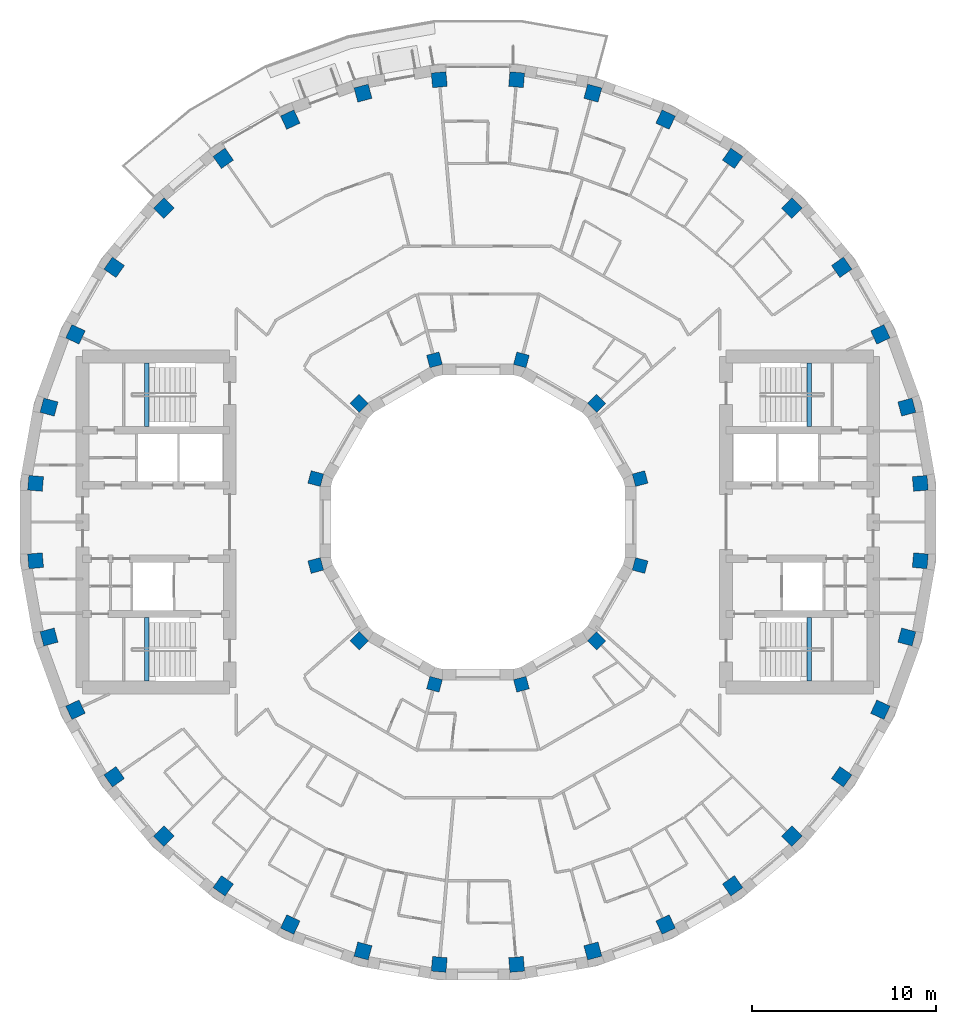
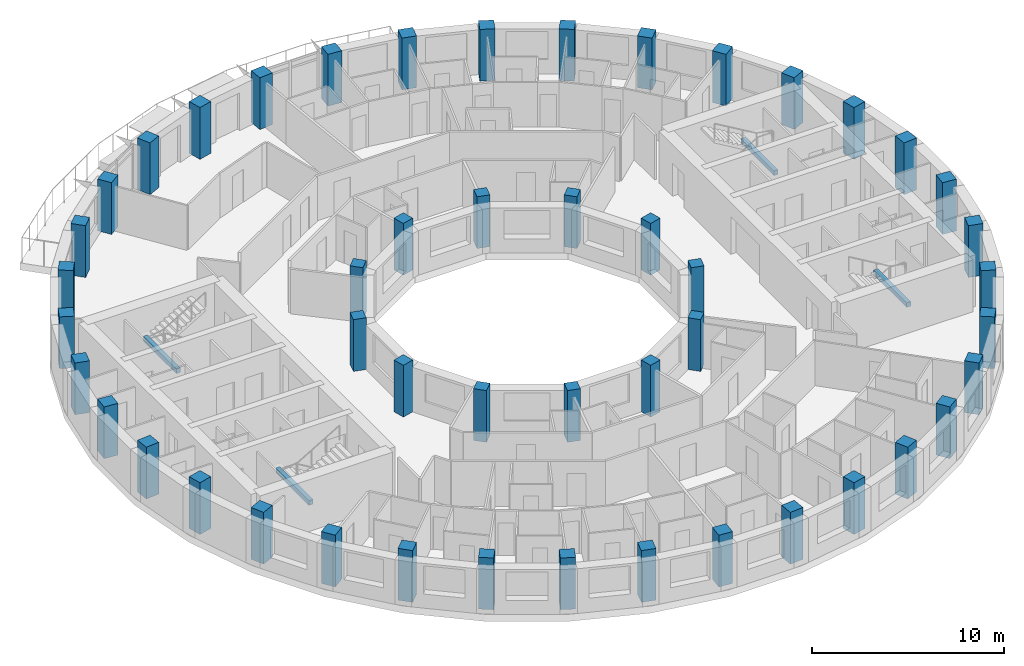
# One storey, part 1 of 14: 48 columns, 4 beams.
"""IFC4 building model written with IfcOpenShell, lengths in metres."""

from ifc_helpers import new_model, si_unit, direction, frame, origin, origin_2d, place, context, subcontext, project, spatial, rectangle, extrude, material, material_profile, profile_set, type_object, element, save


model = new_model("IFC4")

# Units and contexts
model_context = context("Model", 3, precision=1e-05, world=origin(), true_north=direction((0.0, 1.0)))
body_context = subcontext(model_context, "Body", "Model", "MODEL_VIEW")
ifc_project = project(units=[si_unit("LENGTHUNIT", "METRE"), si_unit("AREAUNIT", "SQUARE_METRE"), si_unit("VOLUMEUNIT", "CUBIC_METRE"), si_unit("PLANEANGLEUNIT", "RADIAN"), si_unit("MASSUNIT", "GRAM", prefix="KILO")], contexts=[model_context])

# Site, building, storey
site_placement = place(None, origin())
site = spatial("IfcSite", under=ifc_project, at=site_placement, CompositionType="ELEMENT")
building_placement = place(site_placement, origin())
building = spatial("IfcBuilding", under=site, at=building_placement, Name="Saqina Gate Tower", CompositionType="ELEMENT")
storey_placement = place(building_placement, frame((0.0, 0.0, 213.60009765625)))
storey = spatial("IfcBuildingStorey", under=building, at=storey_placement, Name="L61", CompositionType="ELEMENT", Elevation=213.60009765625)

# Columns
ifc_material_1 = material(Name="Concrete C60/75", Category="concrete")
ifc_material_profile_1 = material_profile(ifc_material_1, rectangle(XDim=0.699951171875, YDim=0.699951171875, at=origin_2d()), Name="RC 700x700")
ifc_profile_set_1 = profile_set([ifc_material_profile_1], Name="Concrete C60/75")
column_type_1 = type_object("IfcColumnType", Name="STR-COL-IN-C", PredefinedType="COLUMN", material=ifc_profile_set_1)
for number, where, z_axis, x_axis, name in (
    (1, (8.821044921875, 2.363525390625, 0.0), (0.0, 0.0, 1.0), (0.965925826289, 0.258819045103, 0.0), "L61-ICL01"),
    (2, (6.45751953125, 6.45751953125, 0.0), (0.0, 0.0, 1.0), (0.707106781187, 0.707106781187, 0.0), "L61-ICL02"),
    (3, (2.363525390625, 8.821044921875, 0.0), (0.0, 0.0, 1.0), (0.258819045103, 0.965925826289, 0.0), "L61-ICL03"),
    (4, (-2.363525390625, 8.821044921875, 0.0), (0.0, 0.0, 1.0), (-0.258819045103, 0.965925826289, 0.0), "L61-ICL04"),
    (5, (-6.45751953125, 6.45751953125, 0.0), (0.0, 0.0, 1.0), (-0.707106781187, 0.707106781187, 0.0), "L61-ICL05"),
    (6, (-8.821044921875, 2.363525390625, 0.0), (0.0, 0.0, 1.0), (-0.965925826289, 0.258819045103, 0.0), "L61-ICL06"),
    (7, (-8.821044921875, -2.363525390625, 0.0), (0.0, 0.0, 1.0), (-0.965925826289, -0.258819045103, 0.0), "L61-ICL07"),
    (8, (-6.45751953125, -6.45751953125, 0.0), (0.0, 0.0, 1.0), (-0.707106781187, -0.707106781187, 0.0), "L61-ICL08"),
    (9, (-2.363525390625, -8.821044921875, 0.0), (0.0, 0.0, 1.0), (-0.258819045103, -0.965925826289, 0.0), "L61-ICL09"),
    (10, (2.363525390625, -8.821044921875, 0.0), (0.0, 0.0, 1.0), (0.258819045103, -0.965925826289, 0.0), "L61-ICL10"),
    (11, (6.45751953125, -6.45751953125, 0.0), (0.0, 0.0, 1.0), (0.707106781187, -0.707106781187, 0.0), "L61-ICL11"),
    (12, (8.821044921875, -2.363525390625, 0.0), (0.0, 0.0, 1.0), (0.965925826289, -0.258819045103, 0.0), "L61-ICL12"),
):
    element("IfcColumn", number, at=place(storey_placement, frame(where, z_axis=z_axis, x_axis=x_axis)), inside=storey, type_object=column_type_1, Name=name, PredefinedType="COLUMN", context=body_context, shape_type="SweptSolid", body=[
        extrude(rectangle(XDim=0.699951171875, YDim=0.699951171875, at=origin_2d()), origin(), (0.0, 0.0, 1.0), 3.2998046875),
    ])
ifc_material_2 = material(Name="Concrete C60/75", Category="concrete")
ifc_material_profile_2 = material_profile(ifc_material_2, rectangle(XDim=0.800048828125, YDim=0.800048828125, at=origin_2d()), Name="RC 800x800")
ifc_profile_set_2 = profile_set([ifc_material_profile_2], Name="Concrete C60/75")
column_type_2 = type_object("IfcColumnType", Name="STR-COL-OUT-C", PredefinedType="COLUMN", material=ifc_profile_set_2)
for number, where, z_axis, x_axis, name in (
    (13, (24.05810546875, 2.104736328125, 0.0), (0.0, 0.0, 1.0), (0.996194698092, 0.087155742748, 0.0), "L61-COL01"),
    (14, (23.3271484375, 6.25048828125, 0.0), (0.0, 0.0, 1.0), (0.965925826289, 0.258819045103, 0.0), "L61-COL02"),
    (15, (21.887451171875, 10.206298828125, 0.0), (0.0, 0.0, 1.0), (0.906307787037, 0.422618261741, 0.0), "L61-COL03"),
    (16, (19.782470703125, 13.851806640625, 0.0), (0.0, 0.0, 1.0), (0.819152044289, 0.573576436351, 0.0), "L61-COL04"),
    (17, (17.07666015625, 17.07666015625, 0.0), (0.0, 0.0, 1.0), (0.707106781187, 0.707106781187, 0.0), "L61-COL05"),
    (18, (13.851806640625, 19.782470703125, 0.0), (0.0, 0.0, 1.0), (0.573576436351, 0.819152044289, 0.0), "L61-COL06"),
    (19, (10.206298828125, 21.887451171875, 0.0), (0.0, 0.0, 1.0), (0.422618261741, 0.906307787037, 0.0), "L61-COL07"),
    (20, (6.25048828125, 23.3271484375, 0.0), (0.0, 0.0, 1.0), (0.258819045103, 0.965925826289, 0.0), "L61-COL08"),
    (21, (2.104736328125, 24.05810546875, 0.0), (0.0, 0.0, 1.0), (0.087155742748, 0.996194698092, 0.0), "L61-COL09"),
    (22, (-2.104736328125, 24.05810546875, 0.0), (0.0, 0.0, 1.0), (-0.087155742748, 0.996194698092, 0.0), "L61-COL10"),
    (23, (-6.25048828125, 23.3271484375, 0.0), (0.0, 0.0, 1.0), (-0.258819045103, 0.965925826289, 0.0), "L61-COL11"),
    (24, (-10.206298828125, 21.887451171875, 0.0), (0.0, 0.0, 1.0), (-0.422618261741, 0.906307787037, 0.0), "L61-COL12"),
    (25, (-13.851806640625, 19.782470703125, 0.0), (0.0, 0.0, 1.0), (-0.573576436351, 0.819152044289, 0.0), "L61-COL13"),
    (26, (-17.07666015625, 17.07666015625, 0.0), (0.0, 0.0, 1.0), (-0.707106781187, 0.707106781187, 0.0), "L61-COL14"),
    (27, (-19.782470703125, 13.851806640625, 0.0), (0.0, 0.0, 1.0), (-0.819152044289, 0.573576436351, 0.0), "L61-COL15"),
    (28, (-21.887451171875, 10.206298828125, 0.0), (0.0, 0.0, 1.0), (-0.906307787037, 0.422618261741, 0.0), "L61-COL16"),
    (29, (-23.3271484375, 6.25048828125, 0.0), (0.0, 0.0, 1.0), (-0.965925826289, 0.258819045103, 0.0), "L61-COL17"),
    (30, (-24.05810546875, 2.104736328125, 0.0), (0.0, 0.0, 1.0), (-0.996194698092, 0.087155742748, 0.0), "L61-COL18"),
    (31, (-24.05810546875, -2.104736328125, 0.0), (0.0, 0.0, 1.0), (-0.996194698092, -0.087155742748, 0.0), "L61-COL19"),
    (32, (-23.3271484375, -6.25048828125, 0.0), (0.0, 0.0, 1.0), (-0.965925826289, -0.258819045103, 0.0), "L61-COL20"),
    (33, (-21.887451171875, -10.206298828125, 0.0), (0.0, 0.0, 1.0), (-0.906307787037, -0.422618261741, 0.0), "L61-COL21"),
    (34, (-19.782470703125, -13.851806640625, 0.0), (0.0, 0.0, 1.0), (-0.819152044289, -0.573576436351, 0.0), "L61-COL22"),
    (35, (-17.07666015625, -17.07666015625, 0.0), (0.0, 0.0, 1.0), (-0.707106781187, -0.707106781187, 0.0), "L61-COL23"),
    (36, (-13.851806640625, -19.782470703125, 0.0), (0.0, 0.0, 1.0), (-0.573576436351, -0.819152044289, 0.0), "L61-COL24"),
    (37, (-10.206298828125, -21.887451171875, 0.0), (0.0, 0.0, 1.0), (-0.422618261741, -0.906307787037, 0.0), "L61-COL25"),
    (38, (-6.25048828125, -23.3271484375, 0.0), (0.0, 0.0, 1.0), (-0.258819045103, -0.965925826289, 0.0), "L61-COL26"),
    (39, (-2.104736328125, -24.05810546875, 0.0), (0.0, 0.0, 1.0), (-0.087155742748, -0.996194698092, 0.0), "L61-COL27"),
    (40, (2.104736328125, -24.05810546875, 0.0), (0.0, 0.0, 1.0), (0.087155742748, -0.996194698092, 0.0), "L61-COL28"),
    (41, (6.25048828125, -23.3271484375, 0.0), (0.0, 0.0, 1.0), (0.258819045103, -0.965925826289, 0.0), "L61-COL29"),
    (42, (10.206298828125, -21.887451171875, 0.0), (0.0, 0.0, 1.0), (0.422618261741, -0.906307787037, 0.0), "L61-COL30"),
    (43, (13.851806640625, -19.782470703125, 0.0), (0.0, 0.0, 1.0), (0.573576436351, -0.819152044289, 0.0), "L61-COL31"),
    (44, (17.07666015625, -17.07666015625, 0.0), (0.0, 0.0, 1.0), (0.707106781187, -0.707106781187, 0.0), "L61-COL32"),
    (45, (19.782470703125, -13.851806640625, 0.0), (0.0, 0.0, 1.0), (0.819152044289, -0.573576436351, 0.0), "L61-COL33"),
    (46, (21.887451171875, -10.206298828125, 0.0), (0.0, 0.0, 1.0), (0.906307787037, -0.422618261741, 0.0), "L61-COL34"),
    (47, (23.3271484375, -6.25048828125, 0.0), (0.0, 0.0, 1.0), (0.965925826289, -0.258819045103, 0.0), "L61-COL35"),
    (48, (24.05810546875, -2.104736328125, 0.0), (0.0, 0.0, 1.0), (0.996194698092, -0.087155742748, 0.0), "L61-COL36"),
):
    element("IfcColumn", number, at=place(storey_placement, frame(where, z_axis=z_axis, x_axis=x_axis)), inside=storey, type_object=column_type_2, Name=name, PredefinedType="COLUMN", context=body_context, shape_type="SweptSolid", body=[
        extrude(rectangle(XDim=0.800048828125, YDim=0.800048828125, at=origin_2d()), origin(), (0.0, 0.0, 1.0), 3.2998046875),
    ])

# Beams
ifc_material_3 = material(Name="Concrete C40/50", Category="concrete")
ifc_material_profile_3 = material_profile(ifc_material_3, rectangle(XDim=0.25, YDim=0.300048828125, at=origin_2d()), Name="STAIR LANDING BEAM")
ifc_profile_set_3 = profile_set([ifc_material_profile_3], Name="Concrete C40/50")
beam_type = type_object("IfcBeamType", Name="STAIR LANDING BEAM", PredefinedType="BEAM", material=ifc_profile_set_3)
for number, where, z_axis, x_axis, name in (
    (49, (18.02001953125, 5.199951171875, 1.25), (0.0, 1.0, 0.0), (-1.0, 0.0, 0.0), "EXIT STAIR 1 LANDING BEAM"),
    (50, (18.02001953125, -8.64990234375, 1.25), (0.0, 1.0, 0.0), (-1.0, 0.0, 0.0), "EXIT STAIR 2 LANDING BEAM"),
    (51, (-18.02001953125, 5.199951171875, 1.25), (0.0, 1.0, 0.0), (-1.0, 0.0, 0.0), "EXIT STAIR 3 LANDING BEAM"),
    (52, (-18.02001953125, -8.64990234375, 1.25), (0.0, 1.0, 0.0), (-1.0, 0.0, 0.0), "EXIT STAIR 4 LANDING BEAM"),
):
    element("IfcBeam", number, at=place(storey_placement, frame(where, z_axis=z_axis, x_axis=x_axis)), inside=storey, type_object=beam_type, Name=name, PredefinedType="BEAM", context=body_context, shape_type="SweptSolid", body=[
        extrude(rectangle(XDim=0.25, YDim=0.300048828125, at=origin_2d()), origin(), (0.0, 0.0, 1.0), 3.449951171875),
    ])

save(model, "model.ifc")
